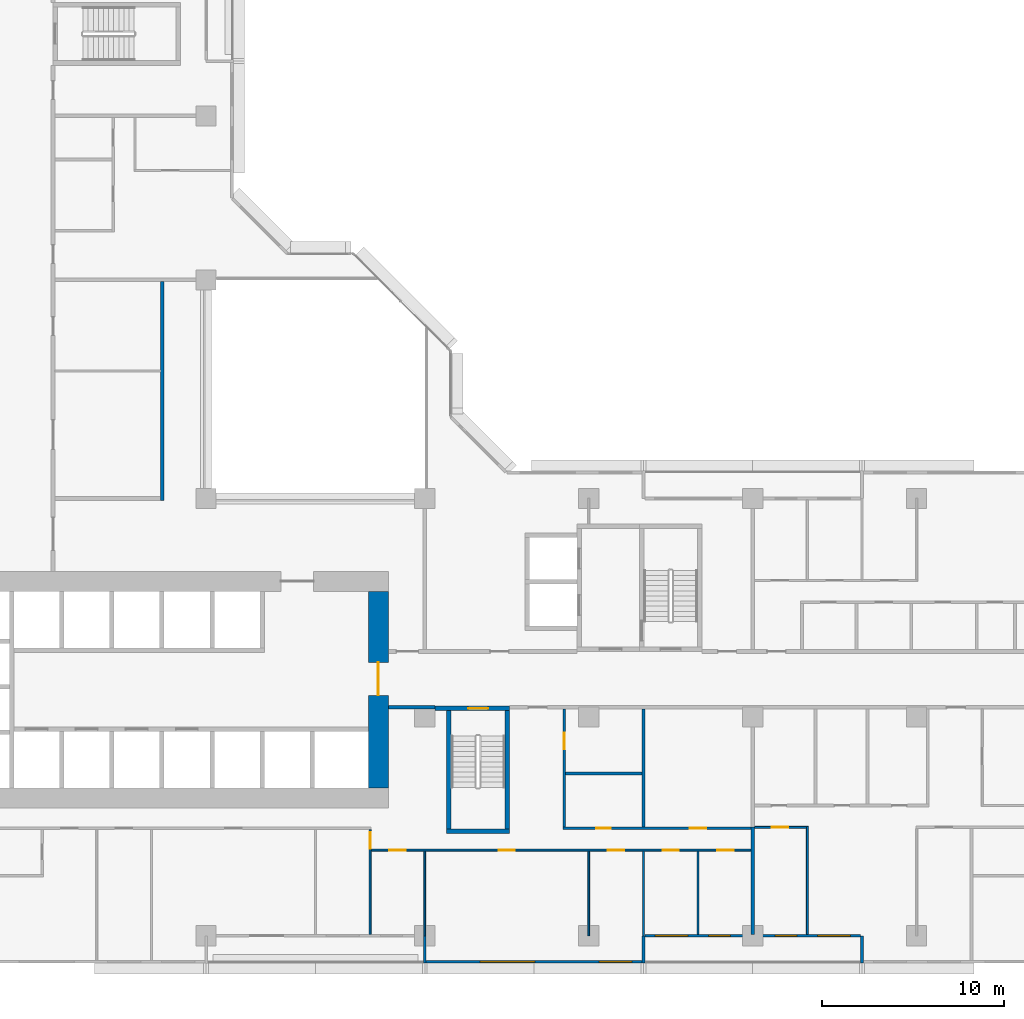
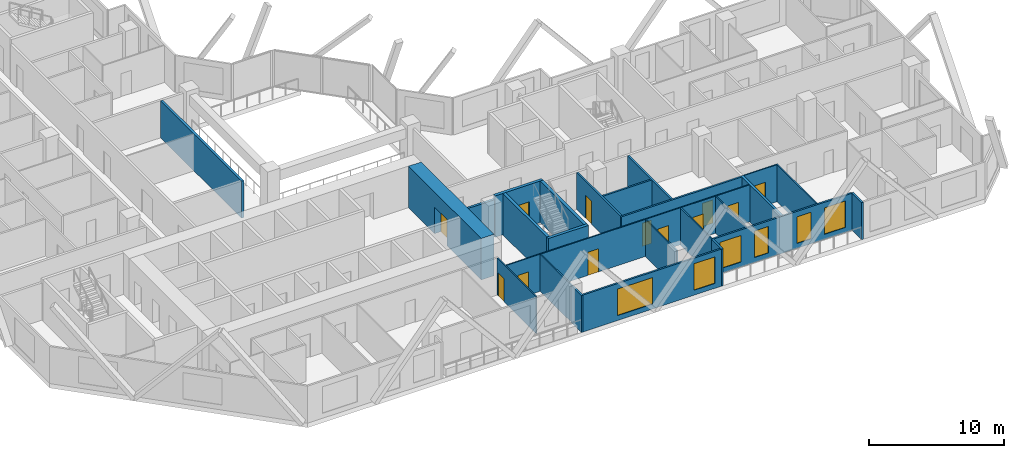
# One storey, part 6 of 15: 25 walls, 12 doors, 6 windows, 18 openings.
"""IFC4 building model written with IfcOpenShell, lengths in metres."""

import ifcopenshell
import ifcopenshell.guid

model = None  # the IFC model being written
_history = None  # IfcOwnerHistory: only IFC2X3 demands one
_inside = {}  # id of a spatial element -> (the spatial element, [elements in it])
_under = {}  # id of a project, library or spatial element -> (it, [spatial elements below it])
_declared = {}  # id of a project -> (the project, [libraries it declares])
_typed = {}  # id of a type object -> (the type object, [elements of that type])
_made_of = {}  # id of a material, layer set ... -> (it, [elements and type objects made of it])


def new_model(schema):
    """Start an empty IFC model of exactly this schema.

    Asked for "IFC4X3", IfcOpenShell would pick the latest addendum, in which some entities
    have other attributes; the version numbers below select the first issue.
    IFC2X3 requires an IfcOwnerHistory on every rooted entity: one is made here for all.
    """
    global model, _history
    if schema == "IFC4X3":
        model = ifcopenshell.file(schema_version=(4, 3, 0, 0))
    else:
        model = ifcopenshell.file(schema=schema)
    _inside.clear()
    _under.clear()
    _declared.clear()
    _typed.clear()
    _made_of.clear()
    _history = None
    if model.schema == "IFC2X3":
        org = make("IfcOrganization", Name="unknown")
        user = make(
            "IfcPersonAndOrganization",
            ThePerson=make("IfcPerson", FamilyName="unknown"),
            TheOrganization=org,
        )
        app = make(
            "IfcApplication",
            ApplicationDeveloper=org,
            Version="unknown",
            ApplicationFullName="unknown",
            ApplicationIdentifier="unknown",
        )
        _history = make(
            "IfcOwnerHistory",
            OwningUser=user,
            OwningApplication=app,
            ChangeAction="ADDED",
            CreationDate=0,
        )
    return model


def make(cls, **values):
    """One entity of the class cls with the attributes given. An attribute that is None is left unset."""
    return model.create_entity(
        cls, **{name: value for name, value in values.items() if value is not None}
    )


def rooted(cls, **values):
    """An entity with a GlobalId (a new one), such as an element, a storey or a relation."""
    return make(cls, GlobalId=ifcopenshell.guid.new(), OwnerHistory=_history, **values)


def si_unit(unit_type, name, prefix=None):
    """IfcSIUnit, for example si_unit("LENGTHUNIT", "METRE", prefix="MILLI")."""
    return make("IfcSIUnit", UnitType=unit_type, Prefix=prefix, Name=name)


def assignment(units):
    """IfcUnitAssignment: the units of a project."""
    return None if units is None else make("IfcUnitAssignment", Units=units)


def point(xyz):
    """IfcCartesianPoint."""
    return None if xyz is None else make("IfcCartesianPoint", Coordinates=xyz)


def direction(xyz):
    """IfcDirection."""
    return None if xyz is None else make("IfcDirection", DirectionRatios=xyz)


def frame(location, z_axis=None, x_axis=None):
    """IfcAxis2Placement3D, a coordinate frame: its origin and axes. An axis left out is left unset."""
    return make(
        "IfcAxis2Placement3D",
        Location=point(location),
        Axis=direction(z_axis),
        RefDirection=direction(x_axis),
    )


def frame_2d(location, x_axis=None):
    """IfcAxis2Placement2D, a coordinate frame in the plane: its origin and x axis."""
    return make(
        "IfcAxis2Placement2D", Location=point(location), RefDirection=direction(x_axis)
    )


def origin():
    """The frame at (0, 0, 0) with its axes left unset."""
    return frame((0.0, 0.0, 0.0))


def place(relative_to, where):
    """IfcLocalPlacement: puts the frame where relative to a parent placement (None: the world)."""
    return make(
        "IfcLocalPlacement", PlacementRelTo=relative_to, RelativePlacement=where
    )


def context(
    kind, dimensions, precision=None, world=None, true_north=None, identifier=None
):
    """IfcGeometricRepresentationContext, for example the 3D "Model" context."""
    return make(
        "IfcGeometricRepresentationContext",
        ContextIdentifier=identifier,
        ContextType=kind,
        CoordinateSpaceDimension=dimensions,
        Precision=precision,
        WorldCoordinateSystem=world,
        TrueNorth=true_north,
    )


def subcontext(parent, identifier, kind, view, scale=None):
    """IfcGeometricRepresentationSubContext, for example "Body" below "Model"."""
    return make(
        "IfcGeometricRepresentationSubContext",
        ContextIdentifier=identifier,
        ContextType=kind,
        ParentContext=parent,
        TargetScale=scale,
        TargetView=view,
    )


def project(units=None, contexts=None):
    """IfcProject with its units and contexts."""
    return rooted(
        "IfcProject",
        Name="project",
        RepresentationContexts=contexts,
        UnitsInContext=assignment(units),
    )


def spatial(cls, under=None, at=None, **own):
    """A site, building, storey or space (cls), placed at a placement, below another one or the project."""
    s = rooted(cls, ObjectPlacement=at, **own)
    if under is not None:
        _under.setdefault(under.id(), (under, []))[1].append(s)
    return s


def profile(cls, at=None, kind="AREA", **sizes):
    """A parametric profile (cls). Its sizes go by their IFC names, for example OverallWidth=200.0."""
    return make(cls, ProfileType=kind, Position=at, **sizes)


def rectangle(**sizes):
    """IfcRectangleProfileDef."""
    return profile("IfcRectangleProfileDef", **sizes)


def extrude(swept, where, along, depth):
    """IfcExtrudedAreaSolid: the profile swept, set in the frame where, extruded along a direction by depth."""
    return make(
        "IfcExtrudedAreaSolid",
        SweptArea=swept,
        Position=where,
        ExtrudedDirection=direction(along),
        Depth=depth,
    )


def shape(context_of_items, identifier, shape_type, items):
    """IfcShapeRepresentation: the items that make up one representation, for example the "Body"."""
    return make(
        "IfcShapeRepresentation",
        ContextOfItems=context_of_items,
        RepresentationIdentifier=identifier,
        RepresentationType=shape_type,
        Items=items,
    )


def material(Name=None, Category=None):
    """IfcMaterial."""
    return make("IfcMaterial", Name=Name, Category=Category)


def layer(
    of_material, thickness, ventilated=None, Name=None, Category=None, Priority=None
):
    """IfcMaterialLayer: one layer of a wall or slab, of a material (None: an air gap)."""
    return make(
        "IfcMaterialLayer",
        Material=of_material,
        LayerThickness=thickness,
        IsVentilated=ventilated,
        Name=Name,
        Category=Category,
        Priority=Priority,
    )


def layer_set(layers, Name=None):
    """IfcMaterialLayerSet."""
    return make("IfcMaterialLayerSet", MaterialLayers=layers, LayerSetName=Name)


def made_of(thing, what):
    """Note that an element or type object is made of a material, layer set ...; save() writes the relation."""
    if what is not None:
        _made_of.setdefault(what.id(), (what, []))[1].append(thing)
    return thing


def type_object(cls, material=None, **own):
    """A type object (cls), such as IfcWallType, which elements share."""
    return made_of(rooted(cls, **own), material)


def element(
    cls,
    number,
    at=None,
    inside=None,
    cuts=None,
    type_object=None,
    material=None,
    context=None,
    identifier="Body",
    shape_type=None,
    held_by="IfcProductDefinitionShape",
    body=None,
    shapes=None,
    **own,
):
    """One element of the class cls, such as IfcWall. Its Tag is "e" and its number.

    at: its placement. inside: the storey or other place that contains it. cuts: it is an
    opening in that element (IfcRelVoidsElement). A single representation is given by context,
    identifier, shape_type and body (its items); several are given by shapes. held_by: the class
    of the entity that holds the representations. save() writes the other relations.
    """
    e = rooted(cls, Tag="e%d" % number, ObjectPlacement=at, **own)
    if body is not None:
        shapes = [shape(context, identifier, shape_type, body)]
    if shapes is not None:
        e.Representation = make(held_by, Representations=shapes)
    if inside is not None:
        _inside.setdefault(inside.id(), (inside, []))[1].append(e)
    if cuts is not None:
        rooted(
            "IfcRelVoidsElement", RelatingBuildingElement=cuts, RelatedOpeningElement=e
        )
    if type_object is not None:
        _typed.setdefault(type_object.id(), (type_object, []))[1].append(e)
    return made_of(e, material)


def fill(opening, filler):
    """IfcRelFillsElement: the door or window that sits in an opening."""
    return rooted(
        "IfcRelFillsElement",
        RelatingOpeningElement=opening,
        RelatedBuildingElement=filler,
    )


def aggregate(whole, parts):
    """IfcRelAggregates: a whole, such as a stair, and the parts it consists of."""
    return rooted("IfcRelAggregates", RelatingObject=whole, RelatedObjects=parts)


def save(model, path):
    """Write the relations noted so far, then the file.

    IfcRelAggregates (storeys below a building ...), IfcRelContainedInSpatialStructure (elements
    in a storey), IfcRelDefinesByType, IfcRelAssociatesMaterial and IfcRelDeclares: one each for
    every whole, place, type object, material and project.
    """
    for whole, parts in _under.values():
        aggregate(whole, parts)
    for where, things in _inside.values():
        rooted(
            "IfcRelContainedInSpatialStructure",
            RelatedElements=things,
            RelatingStructure=where,
        )
    for kind, things in _typed.values():
        rooted("IfcRelDefinesByType", RelatedObjects=things, RelatingType=kind)
    for what, things in _made_of.values():
        rooted("IfcRelAssociatesMaterial", RelatedObjects=things, RelatingMaterial=what)
    for by, libraries in _declared.values():
        rooted("IfcRelDeclares", RelatingContext=by, RelatedDefinitions=libraries)
    model.write(path)


model = new_model("IFC4")

# Units and contexts
model_context = context("Model", 3, precision=1e-05, world=origin(), true_north=direction((0.0, 1.0)))
body_context = subcontext(model_context, "Body", "Model", "MODEL_VIEW")
ifc_project = project(units=[si_unit("LENGTHUNIT", "METRE"), si_unit("AREAUNIT", "SQUARE_METRE"), si_unit("VOLUMEUNIT", "CUBIC_METRE"), si_unit("PLANEANGLEUNIT", "RADIAN"), si_unit("MASSUNIT", "GRAM", prefix="KILO")], contexts=[model_context])

# Site, building, storey
site_placement = place(None, origin())
site = spatial("IfcSite", under=ifc_project, at=site_placement, CompositionType="ELEMENT")
building_placement = place(site_placement, origin())
building = spatial("IfcBuilding", under=site, at=building_placement, Name="Chenar Terraces", CompositionType="ELEMENT")
storey_placement = place(building_placement, frame((0.0, 0.0, 48.89990234375)))
storey = spatial("IfcBuildingStorey", under=building, at=storey_placement, Name="L09", CompositionType="ELEMENT", Elevation=48.89990234375)

# Wall, opening, door
ifc_material_1 = material(Name="Concrete C70/85", Category="concrete")
ifc_layer_1 = layer(ifc_material_1, 1.10009765625)
ifc_layer_set_1 = layer_set([ifc_layer_1], Name="Concrete C70/85")
wall_type_1 = type_object("IfcWallType", Name="Core wall 1100 Concrete C70/85", PredefinedType="SHEAR", material=ifc_layer_set_1)
wall_1_placement = place(storey_placement, frame((33.449951171875, 8.10009765625, 0.0), z_axis=(0.0, 0.0, 1.0), x_axis=(0.0, 1.0, 0.0)))
wall_1 = element("IfcWall", 1, at=wall_1_placement, inside=storey, type_object=wall_type_1, Name="Core wall E L09", PredefinedType="SHEAR", context=body_context, shape_type="SweptSolid", body=[
    extrude(rectangle(XDim=10.7998046875, YDim=1.10009765625, at=frame_2d((5.39990234375, 0.0))), origin(), (0.0, 0.0, 1.0), 3.75),
])
opening_1_placement = place(wall_1_placement, frame((5.10009765625, 0.0, 0.0)))
opening_1 = element("IfcOpeningElement", 2, at=opening_1_placement, cuts=wall_1, Name="Opening DL09-C1", PredefinedType="OPENING", context=body_context, shape_type="SweptSolid", body=[
    extrude(rectangle(XDim=1.800048828125, YDim=2.39990234375, at=frame_2d((0.89990234375, 1.199951171875))), frame((0.0, 0.56005859375, 0.0), z_axis=(0.0, -1.0, 0.0), x_axis=(1.0, 0.0, 0.0)), (0.0, 0.0, 1.0), 1.1201171875),
])
ifc_material_2 = material(Name="Steel-framed fire-resisting door leaf", Category="steel")
door_type_1 = type_object("IfcDoorType", Name="Core entrance double fire door FD60 1800 x 2400", OperationType="DOUBLE_DOOR_SINGLE_SWING", PredefinedType="DOOR", material=ifc_material_2)
door_1_placement = place(opening_1_placement, origin())
door_1 = element("IfcDoor", 3, at=door_1_placement, inside=storey, type_object=door_type_1, Name="Core door DL09-C1", OperationType="DOUBLE_DOOR_SINGLE_SWING", OverallHeight=2.39990234375, OverallWidth=1.800048828125, PredefinedType="DOOR", context=body_context, shape_type="SweptSolid", body=[
    extrude(rectangle(XDim=1.800048828125, YDim=2.39990234375, at=frame_2d((0.89990234375, 1.199951171875))), frame((0.0, 0.02490234375, 0.0), z_axis=(0.0, -1.0, 0.0), x_axis=(1.0, 0.0, 0.0)), (0.0, 0.0, 1.0), 0.050048828125),
])
fill(opening_1, door_1)

# Wall
ifc_material_3 = material(Name="Concrete C70/85", Category="concrete")
ifc_layer_2 = layer(ifc_material_3, 0.25)
ifc_layer_set_2 = layer_set([ifc_layer_2], Name="Concrete C70/85")
wall_type_2 = type_object("IfcWallType", Name="Core wall 250 Concrete C70/85", PredefinedType="SHEAR", material=ifc_layer_set_2)
wall_2_placement = place(storey_placement, frame((37.199951171875, 5.72509765625, 0.0), z_axis=(0.0, 0.0, 1.0), x_axis=(1.0, 0.0, 0.0)))
element("IfcWall", 4, at=wall_2_placement, inside=storey, type_object=wall_type_2, Name="Core wall ST2_S L09", PredefinedType="SHEAR", context=body_context, shape_type="SweptSolid", body=[
    extrude(rectangle(XDim=3.449951171875, YDim=0.25, at=frame_2d((1.72509765625, 0.0))), origin(), (0.0, 0.0, 1.0), 3.75),
])

# Wall, opening, door
wall_3_placement = place(storey_placement, frame((36.550048828125, 12.47509765625, 0.0), z_axis=(0.0, 0.0, 1.0), x_axis=(1.0, 0.0, 0.0)))
wall_3 = element("IfcWall", 5, at=wall_3_placement, inside=storey, type_object=wall_type_2, Name="Core wall ST2_N L09", PredefinedType="SHEAR", context=body_context, shape_type="SweptSolid", body=[
    extrude(rectangle(XDim=4.099853515625, YDim=0.25, at=frame_2d((2.0498046875, 0.0))), origin(), (0.0, 0.0, 1.0), 3.75),
])
opening_2_placement = place(wall_3_placement, frame((1.824951171875, 0.0, 0.0)))
opening_2 = element("IfcOpeningElement", 6, at=opening_2_placement, cuts=wall_3, Name="Opening DL09-C7", PredefinedType="OPENING", context=body_context, shape_type="SweptSolid", body=[
    extrude(rectangle(XDim=1.10009765625, YDim=2.199951171875, at=frame_2d((0.550048828125, 1.10009765625))), frame((0.0, 0.135009765625, 0.0), z_axis=(0.0, -1.0, 0.0), x_axis=(1.0, 0.0, 0.0)), (0.0, 0.0, 1.0), 0.27001953125),
])
ifc_material_4 = material(Name="Steel-framed fire-resisting door leaf", Category="steel")
door_type_2 = type_object("IfcDoorType", Name="Stair fire door FD60 1100 x 2200", OperationType="SINGLE_SWING_LEFT", PredefinedType="DOOR", material=ifc_material_4)
door_2_placement = place(opening_2_placement, frame((1.10009765625, 0.0, 0.0), z_axis=(0.0, 0.0, 1.0), x_axis=(-1.0, 0.0, 0.0)))
door_2 = element("IfcDoor", 7, at=door_2_placement, inside=storey, type_object=door_type_2, Name="Stair door DL09-C7", OperationType="SINGLE_SWING_LEFT", OverallHeight=2.199951171875, OverallWidth=1.10009765625, PredefinedType="DOOR", context=body_context, shape_type="SweptSolid", body=[
    extrude(rectangle(XDim=1.10009765625, YDim=2.199951171875, at=frame_2d((0.550048828125, 1.10009765625))), frame((0.0, 0.02490234375, 0.0), z_axis=(0.0, -1.0, 0.0), x_axis=(1.0, 0.0, 0.0)), (0.0, 0.0, 1.0), 0.050048828125),
])
fill(opening_2, door_2)

# Walls
for number, where, z_axis, x_axis, name in (
    (8, (37.324951171875, 5.85009765625, 0.0), (0.0, 0.0, 1.0), (0.0, 1.0, 0.0), "Core wall ST2_W L09"),
    (9, (40.52490234375, 5.85009765625, 0.0), (0.0, 0.0, 1.0), (0.0, 1.0, 0.0), "Core wall ST2_E L09"),
):
    element("IfcWall", number, at=place(storey_placement, frame(where, z_axis=z_axis, x_axis=x_axis)), inside=storey, type_object=wall_type_2, Name=name, PredefinedType="SHEAR", context=body_context, shape_type="SweptSolid", body=[
        extrude(rectangle(XDim=6.5, YDim=0.25, at=frame_2d((3.25, 0.0))), origin(), (0.0, 0.0, 1.0), 3.75),
    ])
ifc_material_5 = material(Name="Gypsum board on steel studs with fire boards", Category="steel")
ifc_layer_3 = layer(ifc_material_5, 0.199951171875)
ifc_layer_set_3 = layer_set([ifc_layer_3], Name="Gypsum board on steel studs with fire boards")
wall_type_3 = type_object("IfcWallType", Name="Corridor wall 200", PredefinedType="PARTITIONING", material=ifc_layer_set_3)
wall_4_placement = place(storey_placement, frame((21.60009765625, 23.89990234375, 0.0), z_axis=(0.0, 0.0, 1.0), x_axis=(0.0, 1.0, 0.0)))
element("IfcWall", 10, at=wall_4_placement, inside=storey, type_object=wall_type_3, Name="Partition L09-064", PredefinedType="PARTITIONING", context=body_context, shape_type="SweptSolid", body=[
    extrude(rectangle(XDim=12.0, YDim=0.199951171875, at=frame_2d((6.0, 0.0))), origin(), (0.0, 0.0, 1.0), 3.35009765625),
])
wall_5_placement = place(storey_placement, frame((34.0, 12.550048828125, 0.0), z_axis=(0.0, 0.0, 1.0), x_axis=(1.0, 0.0, 0.0)))
element("IfcWall", 11, at=wall_5_placement, inside=storey, type_object=wall_type_3, Name="Partition L09-068", PredefinedType="PARTITIONING", context=body_context, shape_type="SweptSolid", body=[
    extrude(rectangle(XDim=2.551025390625, YDim=0.199951171875, at=frame_2d((1.275390625, 0.0))), origin(), (0.0, 0.0, 1.0), 3.35009765625),
])

# Wall, openings, windows
ifc_material_6 = material(Name="Aluminium framed glazing", Category="aluminium")
ifc_layer_4 = layer(ifc_material_6, 0.14990234375)
ifc_layer_set_4 = layer_set([ifc_layer_4], Name="Aluminium framed glazing")
wall_type_4 = type_object("IfcWallType", Name="Glazed flush facade wall 150", PredefinedType="SOLIDWALL", material=ifc_layer_set_4)
wall_6_placement = place(storey_placement, frame((36.074951171875, -1.425048828125, 0.0), z_axis=(0.0, 0.0, 1.0), x_axis=(1.0, 0.0, 0.0)))
wall_6 = element("IfcWall", 12, at=wall_6_placement, inside=storey, type_object=wall_type_4, Name="Glazed flush facade wall", PredefinedType="SOLIDWALL", context=body_context, shape_type="SweptSolid", body=[
    extrude(rectangle(XDim=11.85009765625, YDim=0.14990234375, at=frame_2d((5.925048828125, 0.0))), origin(), (0.0, 0.0, 1.0), 3.35009765625),
])
opening_3_placement = place(wall_6_placement, frame((2.96240234375, 0.0, 0.449951171875)))
opening_3 = element("IfcOpeningElement", 13, at=opening_3_placement, cuts=wall_6, Name="Opening W300x240", PredefinedType="OPENING", context=body_context, shape_type="SweptSolid", body=[
    extrude(rectangle(XDim=3.0, YDim=2.39990234375, at=frame_2d((1.5, 1.199951171875))), frame((0.0, 0.0849609375, 0.0), z_axis=(0.0, -1.0, 0.0), x_axis=(1.0, 0.0, 0.0)), (0.0, 0.0, 1.0), 0.169921875),
])
opening_4_placement = place(wall_6_placement, frame((9.487548828125, 0.0, 0.449951171875)))
opening_4 = element("IfcOpeningElement", 14, at=opening_4_placement, cuts=wall_6, Name="Opening W180x240", PredefinedType="OPENING", context=body_context, shape_type="SweptSolid", body=[
    extrude(rectangle(XDim=1.800048828125, YDim=2.39990234375, at=frame_2d((0.89990234375, 1.199951171875))), frame((0.0, 0.0849609375, 0.0), z_axis=(0.0, -1.0, 0.0), x_axis=(1.0, 0.0, 0.0)), (0.0, 0.0, 1.0), 0.169921875),
])
ifc_material_7 = material(Name="Low emissivity double glazing, aluminium frame", Category="aluminium")
window_type_1 = type_object("IfcWindowType", Name="Fixed light 1800 x 2400", PartitioningType="SINGLE_PANEL", PredefinedType="WINDOW", material=ifc_material_7)
window_1_placement = place(opening_4_placement, origin())
window_1 = element("IfcWindow", 15, at=window_1_placement, inside=storey, type_object=window_type_1, Name="Window", OverallHeight=2.39990234375, OverallWidth=1.800048828125, PartitioningType="SINGLE_PANEL", PredefinedType="WINDOW", context=body_context, shape_type="SweptSolid", body=[
    extrude(rectangle(XDim=1.800048828125, YDim=2.39990234375, at=frame_2d((0.89990234375, 1.199951171875))), frame((0.0, 0.030029296875, 0.0), z_axis=(0.0, -1.0, 0.0), x_axis=(1.0, 0.0, 0.0)), (0.0, 0.0, 1.0), 0.06005859375),
])
fill(opening_4, window_1)
ifc_material_8 = material(Name="Low emissivity double glazing, aluminium frame", Category="aluminium")
window_type_2 = type_object("IfcWindowType", Name="Fixed light 3000 x 2400", PartitioningType="SINGLE_PANEL", PredefinedType="WINDOW", material=ifc_material_8)
window_2_placement = place(opening_3_placement, origin())
window_2 = element("IfcWindow", 16, at=window_2_placement, inside=storey, type_object=window_type_2, Name="Window", OverallHeight=2.39990234375, OverallWidth=3.0, PartitioningType="SINGLE_PANEL", PredefinedType="WINDOW", context=body_context, shape_type="SweptSolid", body=[
    extrude(rectangle(XDim=3.0, YDim=2.39990234375, at=frame_2d((1.5, 1.199951171875))), frame((0.0, 0.030029296875, 0.0), z_axis=(0.0, -1.0, 0.0), x_axis=(1.0, 0.0, 0.0)), (0.0, 0.0, 1.0), 0.06005859375),
])
fill(opening_3, window_2)

ifc_material_9 = material(Name="Aluminium framed glazing", Category="aluminium")
ifc_layer_5 = layer(ifc_material_9, 0.14990234375)
ifc_layer_set_5 = layer_set([ifc_layer_5], Name="Aluminium framed glazing")
wall_type_5 = type_object("IfcWallType", Name="Glazed loggia back wall 150", PredefinedType="SOLIDWALL", material=ifc_layer_set_5)
wall_7_placement = place(storey_placement, frame((48.074951171875, 0.0, 0.0), z_axis=(0.0, 0.0, 1.0), x_axis=(1.0, 0.0, 0.0)))
wall_7 = element("IfcWall", 17, at=wall_7_placement, inside=storey, type_object=wall_type_5, Name="Glazed loggia back wall", PredefinedType="SOLIDWALL", context=body_context, shape_type="SweptSolid", body=[
    extrude(rectangle(XDim=11.85009765625, YDim=0.14990234375, at=frame_2d((5.925048828125, 0.0))), origin(), (0.0, 0.0, 1.0), 3.35009765625),
])
opening_5_placement = place(wall_7_placement, frame((0.5625, 0.0, 0.449951171875)))
opening_5 = element("IfcOpeningElement", 18, at=opening_5_placement, cuts=wall_7, Name="Opening W180x240", PredefinedType="OPENING", context=body_context, shape_type="SweptSolid", body=[
    extrude(rectangle(XDim=1.800048828125, YDim=2.39990234375, at=frame_2d((0.89990234375, 1.199951171875))), frame((0.0, 0.0849609375, 0.0), z_axis=(0.0, -1.0, 0.0), x_axis=(1.0, 0.0, 0.0)), (0.0, 0.0, 1.0), 0.169921875),
])
opening_6_placement = place(wall_7_placement, frame((3.5, 0.0, 0.449951171875)))
opening_6 = element("IfcOpeningElement", 19, at=opening_6_placement, cuts=wall_7, Name="Opening W120x240", PredefinedType="OPENING", context=body_context, shape_type="SweptSolid", body=[
    extrude(rectangle(XDim=1.199951171875, YDim=2.39990234375, at=frame_2d((0.60009765625, 1.199951171875))), frame((0.0, 0.0849609375, 0.0), z_axis=(0.0, -1.0, 0.0), x_axis=(1.0, 0.0, 0.0)), (0.0, 0.0, 1.0), 0.169921875),
])
opening_7_placement = place(wall_7_placement, frame((7.14990234375, 0.0, 0.449951171875)))
opening_7 = element("IfcOpeningElement", 20, at=opening_7_placement, cuts=wall_7, Name="Opening W120x240", PredefinedType="OPENING", context=body_context, shape_type="SweptSolid", body=[
    extrude(rectangle(XDim=1.199951171875, YDim=2.39990234375, at=frame_2d((0.60009765625, 1.199951171875))), frame((0.0, 0.0849609375, 0.0), z_axis=(0.0, -1.0, 0.0), x_axis=(1.0, 0.0, 0.0)), (0.0, 0.0, 1.0), 0.169921875),
])
opening_8_placement = place(wall_7_placement, frame((9.487548828125, 0.0, 0.449951171875)))
opening_8 = element("IfcOpeningElement", 21, at=opening_8_placement, cuts=wall_7, Name="Opening W180x240", PredefinedType="OPENING", context=body_context, shape_type="SweptSolid", body=[
    extrude(rectangle(XDim=1.800048828125, YDim=2.39990234375, at=frame_2d((0.89990234375, 1.199951171875))), frame((0.0, 0.0849609375, 0.0), z_axis=(0.0, -1.0, 0.0), x_axis=(1.0, 0.0, 0.0)), (0.0, 0.0, 1.0), 0.169921875),
])
ifc_material_10 = material(Name="Low emissivity double glazing, aluminium frame", Category="aluminium")
window_type_3 = type_object("IfcWindowType", Name="Fixed light 1200 x 2400", PartitioningType="SINGLE_PANEL", PredefinedType="WINDOW", material=ifc_material_10)
window_3_placement = place(opening_6_placement, origin())
window_3 = element("IfcWindow", 22, at=window_3_placement, inside=storey, type_object=window_type_3, Name="Window", OverallHeight=2.39990234375, OverallWidth=1.199951171875, PartitioningType="SINGLE_PANEL", PredefinedType="WINDOW", context=body_context, shape_type="SweptSolid", body=[
    extrude(rectangle(XDim=1.199951171875, YDim=2.39990234375, at=frame_2d((0.60009765625, 1.199951171875))), frame((0.0, 0.030029296875, 0.0), z_axis=(0.0, -1.0, 0.0), x_axis=(1.0, 0.0, 0.0)), (0.0, 0.0, 1.0), 0.06005859375),
])
fill(opening_6, window_3)
window_4_placement = place(opening_7_placement, origin())
window_4 = element("IfcWindow", 23, at=window_4_placement, inside=storey, type_object=window_type_3, Name="Window", OverallHeight=2.39990234375, OverallWidth=1.199951171875, PartitioningType="SINGLE_PANEL", PredefinedType="WINDOW", context=body_context, shape_type="SweptSolid", body=[
    extrude(rectangle(XDim=1.199951171875, YDim=2.39990234375, at=frame_2d((0.60009765625, 1.199951171875))), frame((0.0, 0.030029296875, 0.0), z_axis=(0.0, -1.0, 0.0), x_axis=(1.0, 0.0, 0.0)), (0.0, 0.0, 1.0), 0.06005859375),
])
fill(opening_7, window_4)
window_5_placement = place(opening_5_placement, origin())
window_5 = element("IfcWindow", 24, at=window_5_placement, inside=storey, type_object=window_type_1, Name="Window", OverallHeight=2.39990234375, OverallWidth=1.800048828125, PartitioningType="SINGLE_PANEL", PredefinedType="WINDOW", context=body_context, shape_type="SweptSolid", body=[
    extrude(rectangle(XDim=1.800048828125, YDim=2.39990234375, at=frame_2d((0.89990234375, 1.199951171875))), frame((0.0, 0.030029296875, 0.0), z_axis=(0.0, -1.0, 0.0), x_axis=(1.0, 0.0, 0.0)), (0.0, 0.0, 1.0), 0.06005859375),
])
fill(opening_5, window_5)
window_6_placement = place(opening_8_placement, origin())
window_6 = element("IfcWindow", 25, at=window_6_placement, inside=storey, type_object=window_type_1, Name="Window", OverallHeight=2.39990234375, OverallWidth=1.800048828125, PartitioningType="SINGLE_PANEL", PredefinedType="WINDOW", context=body_context, shape_type="SweptSolid", body=[
    extrude(rectangle(XDim=1.800048828125, YDim=2.39990234375, at=frame_2d((0.89990234375, 1.199951171875))), frame((0.0, 0.030029296875, 0.0), z_axis=(0.0, -1.0, 0.0), x_axis=(1.0, 0.0, 0.0)), (0.0, 0.0, 1.0), 0.06005859375),
])
fill(opening_8, window_6)

# Wall, opening, door
ifc_material_11 = material(Name="Gypsum board on steel studs", Category="steel")
ifc_layer_6 = layer(ifc_material_11, 0.10009765625)
ifc_layer_set_6 = layer_set([ifc_layer_6], Name="Gypsum board on steel studs")
wall_type_6 = type_object("IfcWallType", Name="Gypsum partition 100", PredefinedType="PARTITIONING", material=ifc_layer_set_6)
wall_8_placement = place(storey_placement, frame((33.0, 0.073974609375, 0.0), z_axis=(0.0, 0.0, 1.0), x_axis=(0.0, 1.0, 0.0)))
wall_8 = element("IfcWall", 26, at=wall_8_placement, inside=storey, type_object=wall_type_6, Name="Partition L09-066", PredefinedType="PARTITIONING", context=body_context, shape_type="SweptSolid", body=[
    extrude(rectangle(XDim=5.7509765625, YDim=0.10009765625, at=frame_2d((2.87548828125, 0.0))), origin(), (0.0, 0.0, 1.0), 3.35009765625),
])
opening_9_placement = place(wall_8_placement, frame((4.700927734375, 0.0, 0.0)))
opening_9 = element("IfcOpeningElement", 27, at=opening_9_placement, cuts=wall_8, Name="Opening DL09-53", PredefinedType="OPENING", context=body_context, shape_type="SweptSolid", body=[
    extrude(rectangle(XDim=0.89990234375, YDim=2.10009765625, at=frame_2d((0.449951171875, 1.050048828125))), frame((0.0, 0.06005859375, 0.0), z_axis=(0.0, -1.0, 0.0), x_axis=(1.0, 0.0, 0.0)), (0.0, 0.0, 1.0), 0.1201171875),
])
ifc_material_12 = material(Name="Veneered timber door leaf", Category="wood")
door_type_3 = type_object("IfcDoorType", Name="Door 900 x 2100", OperationType="SINGLE_SWING_LEFT", PredefinedType="DOOR", material=ifc_material_12)
door_3_placement = place(opening_9_placement, origin())
door_3 = element("IfcDoor", 28, at=door_3_placement, inside=storey, type_object=door_type_3, Name="Door DL09-53", OperationType="SINGLE_SWING_RIGHT", OverallHeight=2.10009765625, OverallWidth=0.89990234375, PredefinedType="DOOR", context=body_context, shape_type="SweptSolid", body=[
    extrude(rectangle(XDim=0.89990234375, YDim=2.10009765625, at=frame_2d((0.449951171875, 1.050048828125))), frame((0.0, 0.02490234375, 0.0), z_axis=(0.0, -1.0, 0.0), x_axis=(1.0, 0.0, 0.0)), (0.0, 0.0, 1.0), 0.050048828125),
])
fill(opening_9, door_3)

# Wall, openings, doors
wall_9_placement = place(storey_placement, frame((33.050048828125, 4.699951171875, 0.0), z_axis=(0.0, 0.0, 1.0), x_axis=(1.0, 0.0, 0.0)))
wall_9 = element("IfcWall", 29, at=wall_9_placement, inside=storey, type_object=wall_type_6, Name="Partition L09-067", PredefinedType="PARTITIONING", context=body_context, shape_type="SweptSolid", body=[
    extrude(rectangle(XDim=20.849853515625, YDim=0.10009765625, at=frame_2d((10.4248046875, 0.0))), origin(), (0.0, 0.0, 1.0), 3.35009765625),
])
opening_10_placement = place(wall_9_placement, frame((1.0, 0.0, 0.0)))
opening_10 = element("IfcOpeningElement", 30, at=opening_10_placement, cuts=wall_9, Name="Opening DL09-54", PredefinedType="OPENING", context=body_context, shape_type="SweptSolid", body=[
    extrude(rectangle(XDim=0.89990234375, YDim=2.10009765625, at=frame_2d((0.449951171875, 1.050048828125))), frame((0.0, 0.06005859375, 0.0), z_axis=(0.0, -1.0, 0.0), x_axis=(1.0, 0.0, 0.0)), (0.0, 0.0, 1.0), 0.1201171875),
])
opening_11_placement = place(wall_9_placement, frame((13.0, 0.0, 0.0)))
opening_11 = element("IfcOpeningElement", 31, at=opening_11_placement, cuts=wall_9, Name="Opening DL09-55", PredefinedType="OPENING", context=body_context, shape_type="SweptSolid", body=[
    extrude(rectangle(XDim=0.89990234375, YDim=2.10009765625, at=frame_2d((0.449951171875, 1.050048828125))), frame((0.0, 0.06005859375, 0.0), z_axis=(0.0, -1.0, 0.0), x_axis=(1.0, 0.0, 0.0)), (0.0, 0.0, 1.0), 0.1201171875),
])
opening_12_placement = place(wall_9_placement, frame((16.0, 0.0, 0.0)))
opening_12 = element("IfcOpeningElement", 32, at=opening_12_placement, cuts=wall_9, Name="Opening DL09-56", PredefinedType="OPENING", context=body_context, shape_type="SweptSolid", body=[
    extrude(rectangle(XDim=0.89990234375, YDim=2.10009765625, at=frame_2d((0.449951171875, 1.050048828125))), frame((0.0, 0.06005859375, 0.0), z_axis=(0.0, -1.0, 0.0), x_axis=(1.0, 0.0, 0.0)), (0.0, 0.0, 1.0), 0.1201171875),
])
opening_13_placement = place(wall_9_placement, frame((19.0, 0.0, 0.0)))
opening_13 = element("IfcOpeningElement", 33, at=opening_13_placement, cuts=wall_9, Name="Opening DL09-57", PredefinedType="OPENING", context=body_context, shape_type="SweptSolid", body=[
    extrude(rectangle(XDim=0.89990234375, YDim=2.10009765625, at=frame_2d((0.449951171875, 1.050048828125))), frame((0.0, 0.06005859375, 0.0), z_axis=(0.0, -1.0, 0.0), x_axis=(1.0, 0.0, 0.0)), (0.0, 0.0, 1.0), 0.1201171875),
])
opening_14_placement = place(wall_9_placement, frame((7.0, 0.0, 0.0)))
opening_14 = element("IfcOpeningElement", 34, at=opening_14_placement, cuts=wall_9, Name="Opening DL09-66", PredefinedType="OPENING", context=body_context, shape_type="SweptSolid", body=[
    extrude(rectangle(XDim=0.89990234375, YDim=2.10009765625, at=frame_2d((0.449951171875, 1.050048828125))), frame((0.0, 0.06005859375, 0.0), z_axis=(0.0, -1.0, 0.0), x_axis=(1.0, 0.0, 0.0)), (0.0, 0.0, 1.0), 0.1201171875),
])
door_4_placement = place(opening_10_placement, frame((0.89990234375, 0.0, 0.0), z_axis=(0.0, 0.0, 1.0), x_axis=(-1.0, 0.0, 0.0)))
door_4 = element("IfcDoor", 35, at=door_4_placement, inside=storey, type_object=door_type_3, Name="Door DL09-54", OperationType="SINGLE_SWING_LEFT", OverallHeight=2.10009765625, OverallWidth=0.89990234375, PredefinedType="DOOR", context=body_context, shape_type="SweptSolid", body=[
    extrude(rectangle(XDim=0.89990234375, YDim=2.10009765625, at=frame_2d((0.449951171875, 1.050048828125))), frame((0.0, 0.02490234375, 0.0), z_axis=(0.0, -1.0, 0.0), x_axis=(1.0, 0.0, 0.0)), (0.0, 0.0, 1.0), 0.050048828125),
])
fill(opening_10, door_4)
door_5_placement = place(opening_11_placement, frame((0.89990234375, 0.0, 0.0), z_axis=(0.0, 0.0, 1.0), x_axis=(-1.0, 0.0, 0.0)))
door_5 = element("IfcDoor", 36, at=door_5_placement, inside=storey, type_object=door_type_3, Name="Door DL09-55", OperationType="SINGLE_SWING_LEFT", OverallHeight=2.10009765625, OverallWidth=0.89990234375, PredefinedType="DOOR", context=body_context, shape_type="SweptSolid", body=[
    extrude(rectangle(XDim=0.89990234375, YDim=2.10009765625, at=frame_2d((0.449951171875, 1.050048828125))), frame((0.0, 0.02490234375, 0.0), z_axis=(0.0, -1.0, 0.0), x_axis=(1.0, 0.0, 0.0)), (0.0, 0.0, 1.0), 0.050048828125),
])
fill(opening_11, door_5)
door_6_placement = place(opening_12_placement, frame((0.89990234375, 0.0, 0.0), z_axis=(0.0, 0.0, 1.0), x_axis=(-1.0, 0.0, 0.0)))
door_6 = element("IfcDoor", 37, at=door_6_placement, inside=storey, type_object=door_type_3, Name="Door DL09-56", OperationType="SINGLE_SWING_LEFT", OverallHeight=2.10009765625, OverallWidth=0.89990234375, PredefinedType="DOOR", context=body_context, shape_type="SweptSolid", body=[
    extrude(rectangle(XDim=0.89990234375, YDim=2.10009765625, at=frame_2d((0.449951171875, 1.050048828125))), frame((0.0, 0.02490234375, 0.0), z_axis=(0.0, -1.0, 0.0), x_axis=(1.0, 0.0, 0.0)), (0.0, 0.0, 1.0), 0.050048828125),
])
fill(opening_12, door_6)
door_7_placement = place(opening_13_placement, frame((0.89990234375, 0.0, 0.0), z_axis=(0.0, 0.0, 1.0), x_axis=(-1.0, 0.0, 0.0)))
door_7 = element("IfcDoor", 38, at=door_7_placement, inside=storey, type_object=door_type_3, Name="Door DL09-57", OperationType="SINGLE_SWING_LEFT", OverallHeight=2.10009765625, OverallWidth=0.89990234375, PredefinedType="DOOR", context=body_context, shape_type="SweptSolid", body=[
    extrude(rectangle(XDim=0.89990234375, YDim=2.10009765625, at=frame_2d((0.449951171875, 1.050048828125))), frame((0.0, 0.02490234375, 0.0), z_axis=(0.0, -1.0, 0.0), x_axis=(1.0, 0.0, 0.0)), (0.0, 0.0, 1.0), 0.050048828125),
])
fill(opening_13, door_7)
door_8_placement = place(opening_14_placement, frame((0.89990234375, 0.0, 0.0), z_axis=(0.0, 0.0, 1.0), x_axis=(-1.0, 0.0, 0.0)))
door_8 = element("IfcDoor", 39, at=door_8_placement, inside=storey, type_object=door_type_3, Name="Door DL09-66", OperationType="SINGLE_SWING_LEFT", OverallHeight=2.10009765625, OverallWidth=0.89990234375, PredefinedType="DOOR", context=body_context, shape_type="SweptSolid", body=[
    extrude(rectangle(XDim=0.89990234375, YDim=2.10009765625, at=frame_2d((0.449951171875, 1.050048828125))), frame((0.0, 0.02490234375, 0.0), z_axis=(0.0, -1.0, 0.0), x_axis=(1.0, 0.0, 0.0)), (0.0, 0.0, 1.0), 0.050048828125),
])
fill(opening_14, door_8)

# Walls
for number, where, z_axis, x_axis, name in (
    (40, (36.0, 0.0, 0.0), (0.0, 0.0, 1.0), (0.0, 1.0, 0.0), "Partition L09-070"),
    (41, (45.0, 0.0, 0.0), (0.0, 0.0, 1.0), (0.0, 1.0, 0.0), "Partition L09-076"),
    (42, (48.0, 0.0, 0.0), (0.0, 0.0, 1.0), (0.0, 1.0, 0.0), "Partition L09-078"),
):
    element("IfcWall", number, at=place(storey_placement, frame(where, z_axis=z_axis, x_axis=x_axis)), inside=storey, type_object=wall_type_6, Name=name, PredefinedType="PARTITIONING", context=body_context, shape_type="SweptSolid", body=[
        extrude(rectangle(XDim=4.64990234375, YDim=0.10009765625, at=frame_2d((2.324951171875, 0.0))), origin(), (0.0, 0.0, 1.0), 3.35009765625),
    ])
wall_10_placement = place(storey_placement, frame((51.0, 0.073974609375, 0.0), z_axis=(0.0, 0.0, 1.0), x_axis=(0.0, 1.0, 0.0)))
element("IfcWall", 43, at=wall_10_placement, inside=storey, type_object=wall_type_6, Name="Partition L09-080", PredefinedType="PARTITIONING", context=body_context, shape_type="SweptSolid", body=[
    extrude(rectangle(XDim=4.575927734375, YDim=0.10009765625, at=frame_2d((2.2880859375, 0.0))), origin(), (0.0, 0.0, 1.0), 3.35009765625),
])

# Wall, opening, door
wall_11_placement = place(storey_placement, frame((54.10009765625, 5.949951171875, 0.0), z_axis=(0.0, 0.0, 1.0), x_axis=(1.0, 0.0, 0.0)))
wall_11 = element("IfcWall", 44, at=wall_11_placement, inside=storey, type_object=wall_type_6, Name="Partition L09-085", PredefinedType="PARTITIONING", context=body_context, shape_type="SweptSolid", body=[
    extrude(rectangle(XDim=2.849853515625, YDim=0.10009765625, at=frame_2d((1.4248046875, 0.0))), origin(), (0.0, 0.0, 1.0), 3.35009765625),
])
opening_15_placement = place(wall_11_placement, frame((0.949951171875, 0.0, 0.0)))
opening_15 = element("IfcOpeningElement", 45, at=opening_15_placement, cuts=wall_11, Name="Opening DL09-15", PredefinedType="OPENING", context=body_context, shape_type="SweptSolid", body=[
    extrude(rectangle(XDim=0.89990234375, YDim=2.10009765625, at=frame_2d((0.449951171875, 1.050048828125))), frame((0.0, 0.06005859375, 0.0), z_axis=(0.0, -1.0, 0.0), x_axis=(1.0, 0.0, 0.0)), (0.0, 0.0, 1.0), 0.1201171875),
])
door_9_placement = place(opening_15_placement, frame((0.89990234375, 0.0, 0.0), z_axis=(0.0, 0.0, 1.0), x_axis=(-1.0, 0.0, 0.0)))
door_9 = element("IfcDoor", 46, at=door_9_placement, inside=storey, type_object=door_type_3, Name="Door DL09-15", OperationType="SINGLE_SWING_LEFT", OverallHeight=2.10009765625, OverallWidth=0.89990234375, PredefinedType="DOOR", context=body_context, shape_type="SweptSolid", body=[
    extrude(rectangle(XDim=0.89990234375, YDim=2.10009765625, at=frame_2d((0.449951171875, 1.050048828125))), frame((0.0, 0.02490234375, 0.0), z_axis=(0.0, -1.0, 0.0), x_axis=(1.0, 0.0, 0.0)), (0.0, 0.0, 1.0), 0.050048828125),
])
fill(opening_15, door_9)

# Walls
wall_12_placement = place(storey_placement, frame((57.0, 0.073974609375, 0.0), z_axis=(0.0, 0.0, 1.0), x_axis=(0.0, 1.0, 0.0)))
element("IfcWall", 47, at=wall_12_placement, inside=storey, type_object=wall_type_6, Name="Partition L09-090", PredefinedType="PARTITIONING", context=body_context, shape_type="SweptSolid", body=[
    extrude(rectangle(XDim=5.926025390625, YDim=0.10009765625, at=frame_2d((2.962890625, 0.0))), origin(), (0.0, 0.0, 1.0), 3.35009765625),
])
ifc_material_13 = material(Name="Terracotta cladding on insulated backing", Category="masonry")
ifc_layer_7 = layer(ifc_material_13, 0.14990234375)
ifc_layer_set_7 = layer_set([ifc_layer_7], Name="Terracotta cladding on insulated backing")
wall_type_7 = type_object("IfcWallType", Name="Loggia return wall 150", PredefinedType="SOLIDWALL", material=ifc_layer_set_7)
for number, where, z_axis, x_axis, name in (
    (48, (36.0, -1.5, 0.0), (0.0, 0.0, 1.0), (0.0, 1.0, 0.0), "Loggia return wall"),
    (49, (48.0, -1.5, 0.0), (0.0, 0.0, 1.0), (0.0, 1.0, 0.0), "Loggia return wall"),
    (50, (60.0, -1.5, 0.0), (0.0, 0.0, 1.0), (0.0, 1.0, 0.0), "Loggia return wall"),
):
    element("IfcWall", number, at=place(storey_placement, frame(where, z_axis=z_axis, x_axis=x_axis)), inside=storey, type_object=wall_type_7, Name=name, PredefinedType="SOLIDWALL", context=body_context, shape_type="SweptSolid", body=[
        extrude(rectangle(XDim=1.5, YDim=0.14990234375, at=frame_2d((0.75, 0.0))), origin(), (0.0, 0.0, 1.0), 3.35009765625),
    ])
ifc_material_14 = material(Name="Twin gypsum board on steel studs with mineral wool", Category="steel")
ifc_layer_8 = layer(ifc_material_14, 0.199951171875)
ifc_layer_set_8 = layer_set([ifc_layer_8], Name="Twin gypsum board on steel studs with mineral wool")
wall_type_8 = type_object("IfcWallType", Name="Unit demising wall 200", PredefinedType="PARTITIONING", material=ifc_layer_set_8)
wall_13_placement = place(storey_placement, frame((54.0, 0.073974609375, 0.0), z_axis=(0.0, 0.0, 1.0), x_axis=(0.0, 1.0, 0.0)))
element("IfcWall", 51, at=wall_13_placement, inside=storey, type_object=wall_type_8, Name="Partition L09-082", PredefinedType="PARTITIONING", context=body_context, shape_type="SweptSolid", body=[
    extrude(rectangle(XDim=5.901123046875, YDim=0.199951171875, at=frame_2d((2.95068359375, 0.0))), origin(), (0.0, 0.0, 1.0), 3.35009765625),
])

# Wall, openings, doors
ifc_material_15 = material(Name="Moisture-resistant gypsum board on steel studs", Category="steel")
ifc_layer_9 = layer(ifc_material_15, 0.14990234375)
ifc_layer_set_9 = layer_set([ifc_layer_9], Name="Moisture-resistant gypsum board on steel studs")
wall_type_9 = type_object("IfcWallType", Name="Wet-room partition 150", PredefinedType="PARTITIONING", material=ifc_layer_set_9)
wall_14_placement = place(storey_placement, frame((43.574951171875, 5.89990234375, 0.0), z_axis=(0.0, 0.0, 1.0), x_axis=(1.0, 0.0, 0.0)))
wall_14 = element("IfcWall", 52, at=wall_14_placement, inside=storey, type_object=wall_type_9, Name="Partition L09-073", PredefinedType="PARTITIONING", context=body_context, shape_type="SweptSolid", body=[
    extrude(rectangle(XDim=10.324951171875, YDim=0.14990234375, at=frame_2d((5.16259765625, 0.0))), origin(), (0.0, 0.0, 1.0), 3.35009765625),
])
opening_16_placement = place(wall_14_placement, frame((1.824951171875, 0.0, 0.0)))
opening_16 = element("IfcOpeningElement", 53, at=opening_16_placement, cuts=wall_14, Name="Opening DL09-51", PredefinedType="OPENING", context=body_context, shape_type="SweptSolid", body=[
    extrude(rectangle(XDim=0.800048828125, YDim=2.10009765625, at=frame_2d((0.39990234375, 1.050048828125))), frame((0.0, 0.0849609375, 0.0), z_axis=(0.0, -1.0, 0.0), x_axis=(1.0, 0.0, 0.0)), (0.0, 0.0, 1.0), 0.169921875),
])
opening_17_placement = place(wall_14_placement, frame((6.97509765625, 0.0, 0.0)))
opening_17 = element("IfcOpeningElement", 54, at=opening_17_placement, cuts=wall_14, Name="Opening DL09-62", PredefinedType="OPENING", context=body_context, shape_type="SweptSolid", body=[
    extrude(rectangle(XDim=0.89990234375, YDim=2.10009765625, at=frame_2d((0.449951171875, 1.050048828125))), frame((0.0, 0.0849609375, 0.0), z_axis=(0.0, -1.0, 0.0), x_axis=(1.0, 0.0, 0.0)), (0.0, 0.0, 1.0), 0.169921875),
])
ifc_material_16 = material(Name="Veneered timber door leaf", Category="wood")
door_type_4 = type_object("IfcDoorType", Name="Door 800 x 2100", OperationType="SINGLE_SWING_LEFT", PredefinedType="DOOR", material=ifc_material_16)
door_10_placement = place(opening_16_placement, origin())
door_10 = element("IfcDoor", 55, at=door_10_placement, inside=storey, type_object=door_type_4, Name="Door DL09-51", OperationType="SINGLE_SWING_RIGHT", OverallHeight=2.10009765625, OverallWidth=0.800048828125, PredefinedType="DOOR", context=body_context, shape_type="SweptSolid", body=[
    extrude(rectangle(XDim=0.800048828125, YDim=2.10009765625, at=frame_2d((0.39990234375, 1.050048828125))), frame((0.0, 0.02490234375, 0.0), z_axis=(0.0, -1.0, 0.0), x_axis=(1.0, 0.0, 0.0)), (0.0, 0.0, 1.0), 0.050048828125),
])
fill(opening_16, door_10)
door_11_placement = place(opening_17_placement, origin())
door_11 = element("IfcDoor", 56, at=door_11_placement, inside=storey, type_object=door_type_3, Name="Door DL09-62", OperationType="SINGLE_SWING_RIGHT", OverallHeight=2.10009765625, OverallWidth=0.89990234375, PredefinedType="DOOR", context=body_context, shape_type="SweptSolid", body=[
    extrude(rectangle(XDim=0.89990234375, YDim=2.10009765625, at=frame_2d((0.449951171875, 1.050048828125))), frame((0.0, 0.02490234375, 0.0), z_axis=(0.0, -1.0, 0.0), x_axis=(1.0, 0.0, 0.0)), (0.0, 0.0, 1.0), 0.050048828125),
])
fill(opening_17, door_11)

# Wall, opening, door
wall_15_placement = place(storey_placement, frame((43.64990234375, 5.97509765625, 0.0), z_axis=(0.0, 0.0, 1.0), x_axis=(0.0, 1.0, 0.0)))
wall_15 = element("IfcWall", 57, at=wall_15_placement, inside=storey, type_object=wall_type_9, Name="Partition L09-074", PredefinedType="PARTITIONING", context=body_context, shape_type="SweptSolid", body=[
    extrude(rectangle(XDim=6.474853515625, YDim=0.14990234375, at=frame_2d((3.2373046875, 0.0))), origin(), (0.0, 0.0, 1.0), 3.35009765625),
])
opening_18_placement = place(wall_15_placement, frame((4.27490234375, 0.0, 0.0)))
opening_18 = element("IfcOpeningElement", 58, at=opening_18_placement, cuts=wall_15, Name="Opening DL09-64", PredefinedType="OPENING", context=body_context, shape_type="SweptSolid", body=[
    extrude(rectangle(XDim=0.89990234375, YDim=2.10009765625, at=frame_2d((0.449951171875, 1.050048828125))), frame((0.0, 0.0849609375, 0.0), z_axis=(0.0, -1.0, 0.0), x_axis=(1.0, 0.0, 0.0)), (0.0, 0.0, 1.0), 0.169921875),
])
door_12_placement = place(opening_18_placement, frame((0.89990234375, 0.0, 0.0), z_axis=(0.0, 0.0, 1.0), x_axis=(-1.0, 0.0, 0.0)))
door_12 = element("IfcDoor", 59, at=door_12_placement, inside=storey, type_object=door_type_3, Name="Door DL09-64", OperationType="SINGLE_SWING_RIGHT", OverallHeight=2.10009765625, OverallWidth=0.89990234375, PredefinedType="DOOR", context=body_context, shape_type="SweptSolid", body=[
    extrude(rectangle(XDim=0.89990234375, YDim=2.10009765625, at=frame_2d((0.449951171875, 1.050048828125))), frame((0.0, 0.02490234375, 0.0), z_axis=(0.0, -1.0, 0.0), x_axis=(1.0, 0.0, 0.0)), (0.0, 0.0, 1.0), 0.050048828125),
])
fill(opening_18, door_12)

# Walls
wall_16_placement = place(storey_placement, frame((43.72509765625, 8.89990234375, 0.0), z_axis=(0.0, 0.0, 1.0), x_axis=(1.0, 0.0, 0.0)))
element("IfcWall", 60, at=wall_16_placement, inside=storey, type_object=wall_type_9, Name="Partition L09-075", PredefinedType="PARTITIONING", context=body_context, shape_type="SweptSolid", body=[
    extrude(rectangle(XDim=4.199951171875, YDim=0.14990234375, at=frame_2d((2.10009765625, 0.0))), origin(), (0.0, 0.0, 1.0), 3.35009765625),
])
wall_17_placement = place(storey_placement, frame((48.0, 5.97509765625, 0.0), z_axis=(0.0, 0.0, 1.0), x_axis=(0.0, 1.0, 0.0)))
element("IfcWall", 61, at=wall_17_placement, inside=storey, type_object=wall_type_9, Name="Partition L09-079", PredefinedType="PARTITIONING", context=body_context, shape_type="SweptSolid", body=[
    extrude(rectangle(XDim=6.474853515625, YDim=0.14990234375, at=frame_2d((3.2373046875, 0.0))), origin(), (0.0, 0.0, 1.0), 3.35009765625),
])

save(model, "model.ifc")
